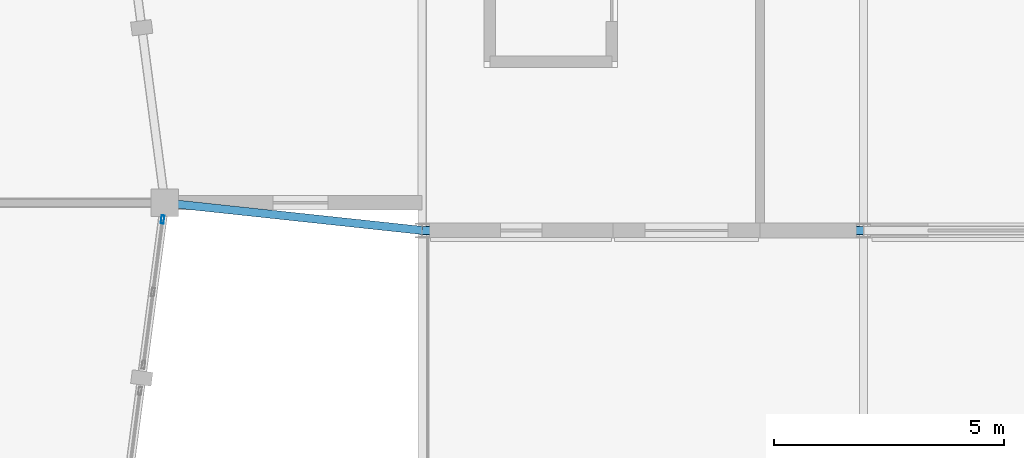
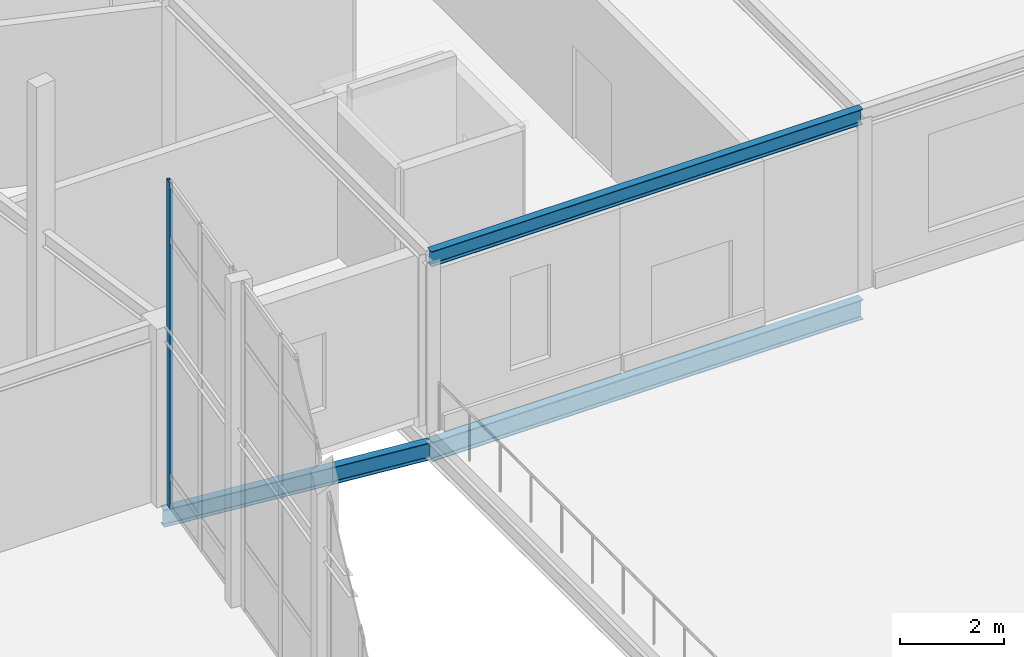
# One storey, part 119 of 185: 3 beams, 1 member, 1 element without a shape of its own.
"""IFC4 building model written with IfcOpenShell, lengths in metres."""

from ifc_helpers import new_model, si_unit, direction, frame, origin, origin_2d, place, context, subcontext, project, spatial, hollow_rectangle, i_section, extrude, material, material_profile, profile_set, type_object, element, aggregate, save


model = new_model("IFC4")

# Units and contexts
model_context = context("Model", 3, precision=1e-05, world=origin(), true_north=direction((0.0, 1.0)))
body_context = subcontext(model_context, "Body", "Model", "MODEL_VIEW")
ifc_project = project(units=[si_unit("LENGTHUNIT", "METRE"), si_unit("AREAUNIT", "SQUARE_METRE"), si_unit("VOLUMEUNIT", "CUBIC_METRE"), si_unit("PLANEANGLEUNIT", "RADIAN"), si_unit("MASSUNIT", "GRAM", prefix="KILO")], contexts=[model_context])

# Site, building, storey
site_placement = place(None, origin())
site = spatial("IfcSite", under=ifc_project, at=site_placement, CompositionType="ELEMENT")
building_placement = place(site_placement, origin())
building = spatial("IfcBuilding", under=site, at=building_placement, Name="Vondelvale Polytechnic", CompositionType="ELEMENT")
storey_placement = place(building_placement, frame((0.0, 0.0, 9.60009765625)))
storey = spatial("IfcBuildingStorey", under=building, at=storey_placement, Name="L02", CompositionType="ELEMENT", Elevation=9.60009765625)

# Beams
ifc_material_1 = material(Name="Steel 300PLUS (fy = 300 MPa)", Category="steel")
ifc_material_profile_1 = material_profile(ifc_material_1, i_section(OverallWidth=0.172119140625, OverallDepth=0.35888671875, WebThickness=0.008056640625, FlangeThickness=0.012939453125, FilletRadius=0.011474609375, at=origin_2d()), Name="360UB56.7")
ifc_profile_set_1 = profile_set([ifc_material_profile_1], Name="Steel 300PLUS (fy = 300 MPa)")
beam_type_1 = type_object("IfcBeamType", Name="BM-UB360H", PredefinedType="BEAM", material=ifc_profile_set_1)
beam_1_placement = place(storey_placement, frame((153.60009765625, 71.39990234375, 4.0205078125), z_axis=(1.0, 0.0, 0.0), x_axis=(0.0, 1.0, 0.0)))
element("IfcBeam", 1, at=beam_1_placement, inside=storey, type_object=beam_type_1, Name="L02 RM B-15", PredefinedType="BEAM", context=body_context, shape_type="SweptSolid", body=[
    extrude(i_section(OverallWidth=0.172119140625, OverallDepth=0.35888671875, WebThickness=0.008056640625, FlangeThickness=0.012939453125, FilletRadius=0.011474609375, at=origin_2d()), origin(), (0.0, 0.0, 1.0), 9.599853515625),
])
ifc_material_profile_2 = material_profile(ifc_material_1, i_section(OverallWidth=0.177978515625, OverallDepth=0.406005859375, WebThickness=0.0078125, FlangeThickness=0.0126953125, FilletRadius=0.011474609375, at=origin_2d()), Name="410UB59.7")
ifc_profile_set_2 = profile_set([ifc_material_profile_2], Name="Steel 300PLUS (fy = 300 MPa)")
beam_type_2 = type_object("IfcBeamType", Name="BM-UB410", PredefinedType="BEAM", material=ifc_profile_set_2)
beam_2_placement = place(storey_placement, frame((148.0, 72.0, -0.483154296875), z_axis=(0.994307513918, -0.10654842921, 0.0), x_axis=(0.10654842921, 0.994307513918, 0.0)))
element("IfcBeam", 2, at=beam_2_placement, inside=storey, type_object=beam_type_2, Name="L02 B B-14", PredefinedType="BEAM", context=body_context, shape_type="SweptSolid", body=[
    extrude(i_section(OverallWidth=0.177978515625, OverallDepth=0.406005859375, WebThickness=0.0078125, FlangeThickness=0.0126953125, FilletRadius=0.011474609375, at=origin_2d()), origin(), (0.0, 0.0, 1.0), 5.632080078125),
])
ifc_material_profile_3 = material_profile(ifc_material_1, i_section(OverallWidth=0.19091796875, OverallDepth=0.4599609375, WebThickness=0.010009765625, FlangeThickness=0.01611328125, FilletRadius=0.011474609375, at=origin_2d()), Name="460UB82.1")
ifc_profile_set_3 = profile_set([ifc_material_profile_3], Name="Steel 300PLUS (fy = 300 MPa)")
beam_type_3 = type_object("IfcBeamType", Name="BM-UB460H", PredefinedType="BEAM", material=ifc_profile_set_3)
beam_3_placement = place(storey_placement, frame((153.60009765625, 71.39990234375, -0.510009765625), z_axis=(1.0, 0.0, 0.0), x_axis=(0.0, 1.0, 0.0)))
element("IfcBeam", 3, at=beam_3_placement, inside=storey, type_object=beam_type_3, Name="L02 B B-12", PredefinedType="BEAM", context=body_context, shape_type="SweptSolid", body=[
    extrude(i_section(OverallWidth=0.19091796875, OverallDepth=0.4599609375, WebThickness=0.010009765625, FlangeThickness=0.01611328125, FilletRadius=0.011474609375, at=origin_2d()), origin(), (0.0, 0.0, 1.0), 9.599853515625),
])

# Curtain wall, member
ifc_material_2 = material(Name="Glulam GL18 structural Tasmanian oak (fb = 42 MPa)", Category="wood")
curtain_wall_type = type_object("IfcCurtainWallType", Name="CW-RING-OUTER", PredefinedType="NOTDEFINED", material=ifc_material_2)
curtain_wall_placement = place(storey_placement, origin())
curtain_wall = element("IfcCurtainWall", 4, at=curtain_wall_placement, inside=storey, type_object=curtain_wall_type, Name="L02 architectural curtain wall CW-04-381", PredefinedType="NOTDEFINED")
ifc_material_3 = material(Name="Anodised extruded aluminium 6063-T6", Category="aluminium")
ifc_material_profile_4 = material_profile(ifc_material_3, hollow_rectangle(XDim=0.06494140625, YDim=0.179931640625, WallThickness=0.00390625, at=origin_2d()), Name="CW-MUL-180x65")
ifc_profile_set_4 = profile_set([ifc_material_profile_4], Name="Anodised extruded aluminium 6063-T6")
member_type = type_object("IfcMemberType", Name="CW-MUL-65x180", PredefinedType="MULLION", material=ifc_profile_set_4)
member_placement = place(storey_placement, frame((147.952392578125, 71.637939453125, 0.0), z_axis=(0.0, 0.0, 1.0), x_axis=(-0.991443102996, 0.130539547729, 0.0)))
member = element("IfcMember", 5, at=member_placement, type_object=member_type, Name="CW-04-381 mullion 3", PredefinedType="MULLION", context=body_context, shape_type="SweptSolid", body=[
    extrude(hollow_rectangle(XDim=0.06494140625, YDim=0.179931640625, WallThickness=0.00390625, at=origin_2d()), origin(), (0.0, 0.0, 1.0), 7.661376953125),
])
aggregate(curtain_wall, [member])

save(model, "model.ifc")
